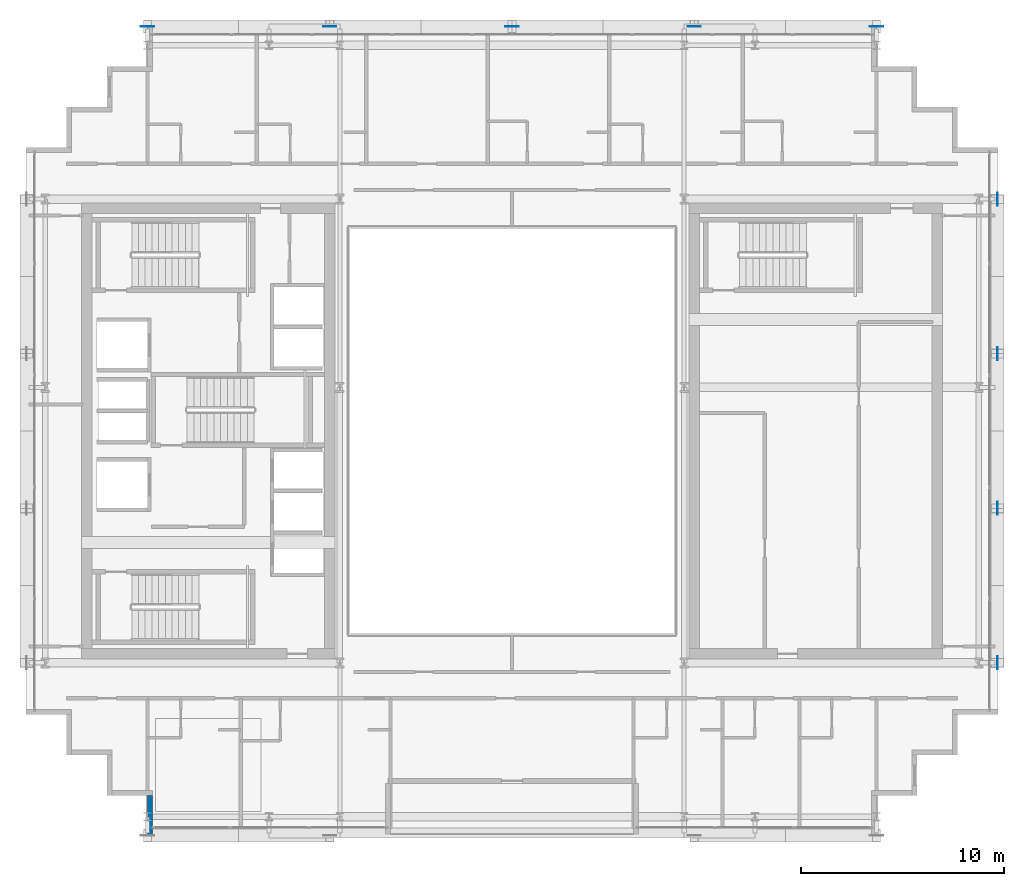
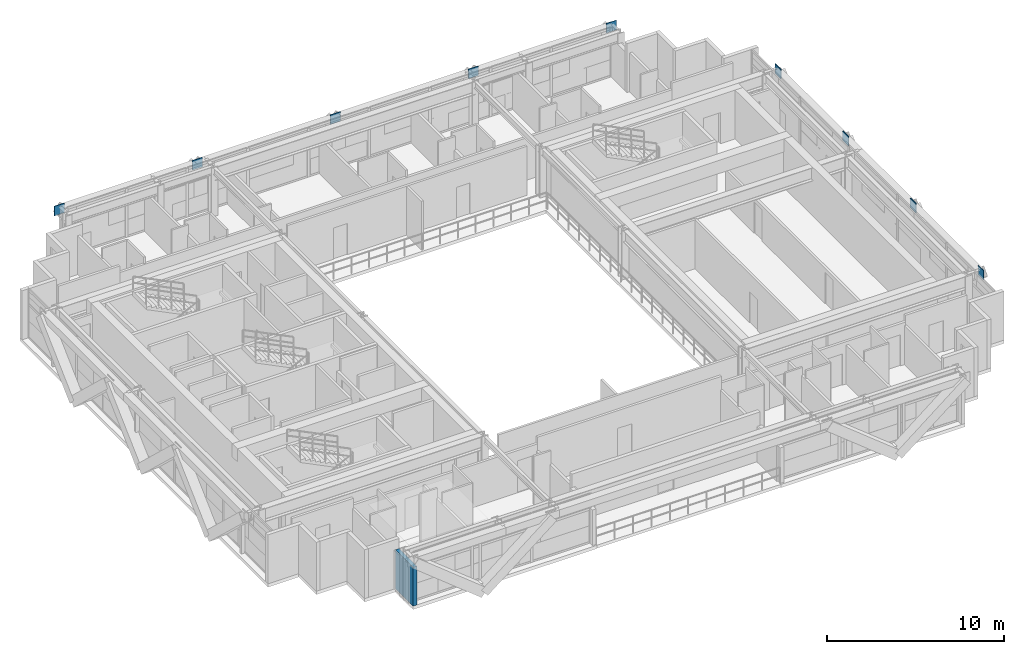
# One storey, part 23 of 32: 9 plates, 1 wall.
"""IFC4 building model written with IfcOpenShell, lengths in metres."""

from ifc_helpers import new_model, si_unit, direction, frame, frame_2d, origin, origin_2d, place, context, subcontext, project, spatial, rectangle, extrude, source, transform, mapped, material, layer, layer_set, type_object, element, save


model = new_model("IFC4")

# Units and contexts
model_context = context("Model", 3, precision=1e-05, world=origin(), true_north=direction((0.0, 1.0)))
body_context = subcontext(model_context, "Body", "Model", "MODEL_VIEW")
ifc_project = project(units=[si_unit("LENGTHUNIT", "METRE"), si_unit("AREAUNIT", "SQUARE_METRE"), si_unit("VOLUMEUNIT", "CUBIC_METRE"), si_unit("PLANEANGLEUNIT", "RADIAN"), si_unit("MASSUNIT", "GRAM", prefix="KILO")], contexts=[model_context])

# Site, building, storey
site_placement = place(None, origin())
site = spatial("IfcSite", under=ifc_project, at=site_placement, CompositionType="ELEMENT")
building_placement = place(site_placement, origin())
building = spatial("IfcBuilding", under=site, at=building_placement, Name="Ocotamira Hotel", CompositionType="ELEMENT")
storey_placement = place(building_placement, frame((0.0, 0.0, 206.39990234375)))
storey = spatial("IfcBuildingStorey", under=building, at=storey_placement, Name="L52", CompositionType="ELEMENT", Elevation=206.39990234375)

# Plates
ifc_material_1 = material(Name="Pale-metal coated steel ASTM A572 Grade 50", Category="steel")
ifc_layer_1 = layer(ifc_material_1, 0.0400390625)
ifc_layer_set_1 = layer_set([ifc_layer_1], Name="Pale-metal coated steel ASTM A572 Grade 50")
plate_type = type_object("IfcPlateType", Name="PLT-GUSSET-40", PredefinedType="SHEET", material=ifc_layer_set_1)
shared_shape_1 = source(origin(), body_context, "Body", "SweptSolid", [
    extrude(rectangle(XDim=0.64990234375, YDim=0.0400390625, at=origin_2d()), origin(), (0.0, 0.0, 1.0), 0.64990234375),
])
for number, where, z_axis, x_axis, name in (
    (1, (14.0, 45.969970703125, 2.795166015625), (0.0, 0.0, 1.0), (-1.0, 0.0, 0.0), "L52 Exoskeleton Diagrid N0.1 End Gusset B"),
    (2, (23.0, 45.969970703125, 2.795166015625), (0.0, 0.0, 1.0), (1.0, 0.0, 0.0), "L52 Exoskeleton Diagrid N0.2 End Gusset B"),
    (3, (32.0, 45.969970703125, 2.795166015625), (0.0, 0.0, 1.0), (1.0, 0.0, 0.0), "L52 Exoskeleton Diagrid N1.2 End Gusset B"),
    (4, (41.0, 45.969970703125, 2.795166015625), (0.0, 0.0, 1.0), (1.0, 0.0, 0.0), "L52 Exoskeleton Diagrid N2.2 End Gusset B"),
    (5, (50.0, 45.969970703125, 2.795166015625), (0.0, 0.0, 1.0), (1.0, 0.0, 0.0), "L52 Exoskeleton Diagrid N3.2 End Gusset B"),
):
    element("IfcPlate", number, at=place(storey_placement, frame(where, z_axis=z_axis, x_axis=x_axis)), inside=storey, type_object=plate_type, Name=name, PredefinedType="SHEET", context=body_context, shape_type="MappedRepresentation", body=[
        mapped(shared_shape_1, transform((0.0, 0.0, 0.0), scale=1.0)),
    ])
shared_shape_2 = source(origin(), body_context, "Body", "SweptSolid", [
    extrude(rectangle(XDim=0.0400390625, YDim=0.64990234375, at=origin_2d()), origin(), (0.0, 0.0, 1.0), 0.64990234375),
])
for number, where, z_axis, x_axis, name in (
    (6, (55.969970703125, 14.550048828125, 2.795166015625), (0.0, 0.0, 1.0), (1.0, 0.0, 0.0), "L52 Exoskeleton Diagrid E0.1 End Gusset B"),
    (7, (55.969970703125, 22.183349609375, 2.795166015625), (0.0, 0.0, 1.0), (1.0, 0.0, 0.0), "L52 Exoskeleton Diagrid E0.2 End Gusset B"),
    (8, (55.969970703125, 29.816650390625, 2.795166015625), (0.0, 0.0, 1.0), (1.0, 0.0, 0.0), "L52 Exoskeleton Diagrid E1.2 End Gusset B"),
    (9, (55.969970703125, 37.449951171875, 2.795166015625), (0.0, 0.0, 1.0), (1.0, 0.0, 0.0), "L52 Exoskeleton Diagrid E2.2 End Gusset B"),
):
    element("IfcPlate", number, at=place(storey_placement, frame(where, z_axis=z_axis, x_axis=x_axis)), inside=storey, type_object=plate_type, Name=name, PredefinedType="SHEET", context=body_context, shape_type="MappedRepresentation", body=[
        mapped(shared_shape_2, transform((0.0, 0.0, 0.0), scale=1.0)),
    ])

# Wall
ifc_material_2 = material(Name="Precast concrete C45/55", Category="concrete")
ifc_layer_2 = layer(ifc_material_2, 0.25)
ifc_layer_set_2 = layer_set([ifc_layer_2], Name="Precast concrete C45/55")
wall_type = type_object("IfcWallType", Name="WL-EXT-SER-250", PredefinedType="SOLIDWALL", material=ifc_layer_set_2)
wall_placement = place(storey_placement, frame((14.125, 8.0, 0.0), z_axis=(0.0, 0.0, 1.0), x_axis=(0.0, -1.0, 0.0)))
element("IfcWall", 10, at=wall_placement, inside=storey, type_object=wall_type, Name="L52 Serrated Corner Wall 24", PredefinedType="SOLIDWALL", context=body_context, shape_type="SweptSolid", body=[
    extrude(rectangle(XDim=2.0, YDim=0.25, at=frame_2d((1.0, 0.0))), origin(), (0.0, 0.0, 1.0), 2.677001953125),
])

save(model, "model.ifc")
